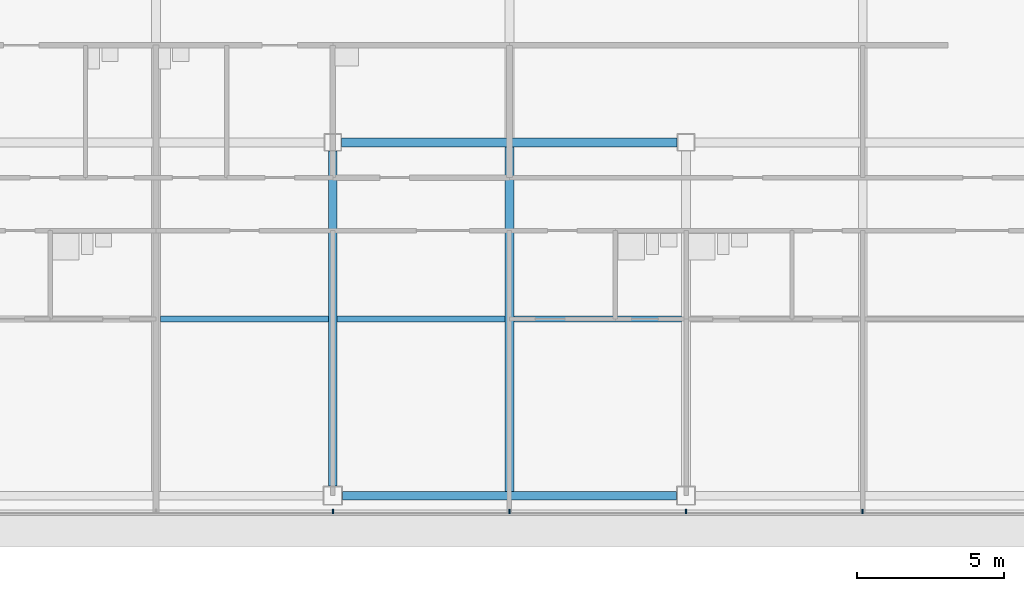
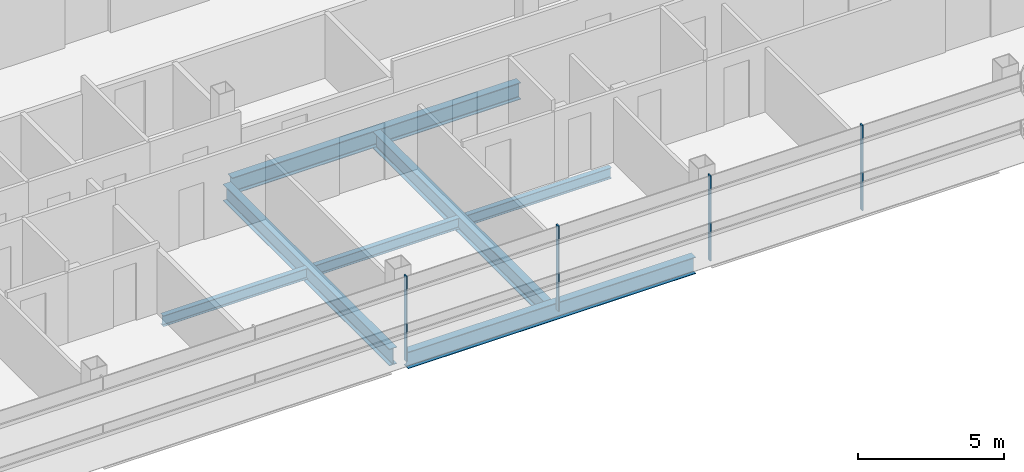
# One storey, part 8 of 27: 7 beams, 4 members, 1 element without a shape of its own.
"""IFC4 building model written with IfcOpenShell, lengths in metres."""

from ifc_helpers import new_model, si_unit, direction, frame, origin, origin_2d, place, context, subcontext, project, spatial, rectangle, i_section, extrude, material, material_profile, profile_set, type_object, element, aggregate, save


model = new_model("IFC4")

# Units and contexts
model_context = context("Model", 3, precision=1e-05, world=origin(), true_north=direction((0.0, 1.0)))
body_context = subcontext(model_context, "Body", "Model", "MODEL_VIEW")
ifc_project = project(units=[si_unit("LENGTHUNIT", "METRE"), si_unit("AREAUNIT", "SQUARE_METRE"), si_unit("VOLUMEUNIT", "CUBIC_METRE"), si_unit("PLANEANGLEUNIT", "RADIAN"), si_unit("MASSUNIT", "GRAM", prefix="KILO")], contexts=[model_context])

# Site, building, storey
site_placement = place(None, origin())
site = spatial("IfcSite", under=ifc_project, at=site_placement, CompositionType="ELEMENT")
building_placement = place(site_placement, origin())
building = spatial("IfcBuilding", under=site, at=building_placement, Name="Sorahane Residences", CompositionType="ELEMENT")
storey_placement = place(building_placement, frame((0.0, 0.0, 206.39990234375)))
storey = spatial("IfcBuildingStorey", under=building, at=storey_placement, Name="L48", CompositionType="ELEMENT", Elevation=206.39990234375)

# Curtain wall, members
ifc_material_1 = material(Name="Dark low-e glass and black anodised aluminium", Category="aluminium")
curtain_wall_type = type_object("IfcCurtainWallType", Name="Curtain wall CW-1 Typical unitised wall", PredefinedType="NOTDEFINED", material=ifc_material_1)
curtain_wall_placement = place(storey_placement, origin())
curtain_wall = element("IfcCurtainWall", 1, at=curtain_wall_placement, inside=storey, type_object=curtain_wall_type, Name="CW-1 curtain wall L48 S1", PredefinedType="NOTDEFINED")
ifc_material_2 = material(Name="Black anodised aluminium", Category="aluminium")
ifc_material_profile_1 = material_profile(ifc_material_2, rectangle(XDim=0.159912109375, YDim=0.050048828125, at=origin_2d()), Name="Curtain wall mullion CW-1 black anodised aluminium 50x160")
ifc_profile_set_1 = profile_set([ifc_material_profile_1], Name="Black anodised aluminium")
member_type = type_object("IfcMemberType", Name="Curtain wall mullion CW-1 black anodised aluminium 50x160", PredefinedType="MULLION", material=ifc_profile_set_1)
member_1_placement = place(storey_placement, frame((24.0, -0.5400390625, -0.179931640625), z_axis=(0.0, 0.0, 1.0), x_axis=(0.0, -1.0, 0.0)))
member_1 = element("IfcMember", 2, at=member_1_placement, type_object=member_type, Name="CW-1 mullion L48 S1.6", PredefinedType="MULLION", context=body_context, shape_type="SweptSolid", body=[
    extrude(rectangle(XDim=0.159912109375, YDim=0.050048828125, at=origin_2d()), origin(), (0.0, 0.0, 1.0), 3.56005859375),
])
member_2_placement = place(storey_placement, frame((30.0, -0.5400390625, -0.179931640625), z_axis=(0.0, 0.0, 1.0), x_axis=(0.0, -1.0, 0.0)))
member_2 = element("IfcMember", 3, at=member_2_placement, type_object=member_type, Name="CW-1 mullion L48 S1.7", PredefinedType="MULLION", context=body_context, shape_type="SweptSolid", body=[
    extrude(rectangle(XDim=0.159912109375, YDim=0.050048828125, at=origin_2d()), origin(), (0.0, 0.0, 1.0), 3.56005859375),
])
member_3_placement = place(storey_placement, frame((36.0, -0.5400390625, -0.179931640625), z_axis=(0.0, 0.0, 1.0), x_axis=(0.0, -1.0, 0.0)))
member_3 = element("IfcMember", 4, at=member_3_placement, type_object=member_type, Name="CW-1 mullion L48 S1.8", PredefinedType="MULLION", context=body_context, shape_type="SweptSolid", body=[
    extrude(rectangle(XDim=0.159912109375, YDim=0.050048828125, at=origin_2d()), origin(), (0.0, 0.0, 1.0), 3.56005859375),
])
member_4_placement = place(storey_placement, frame((42.0, -0.5400390625, -0.179931640625), z_axis=(0.0, 0.0, 1.0), x_axis=(0.0, -1.0, 0.0)))
member_4 = element("IfcMember", 5, at=member_4_placement, type_object=member_type, Name="CW-1 mullion L48 S1.9", PredefinedType="MULLION", context=body_context, shape_type="SweptSolid", body=[
    extrude(rectangle(XDim=0.159912109375, YDim=0.050048828125, at=origin_2d()), origin(), (0.0, 0.0, 1.0), 3.56005859375),
])
aggregate(curtain_wall, [member_1, member_2, member_3, member_4])

# Beams
ifc_material_3 = material(Name="Steel Q355B", Category="steel")
ifc_material_profile_2 = material_profile(ifc_material_3, i_section(OverallWidth=0.199951171875, OverallDepth=0.449951171875, WebThickness=0.009033203125, FlangeThickness=0.013916015625, FilletRadius=0.02001953125, at=origin_2d()), Name="HN 450x200x9x14")
ifc_profile_set_2 = profile_set([ifc_material_profile_2], Name="Steel Q355B")
beam_type_1 = type_object("IfcBeamType", Name="Steel floor beam HN 450x200x9x14 Q355B", PredefinedType="BEAM", material=ifc_profile_set_2)
for number, where, z_axis, x_axis, name in (
    (6, (18.14990234375, 6.0, -0.40478515625), (1.0, 0.0, 0.0), (0.0, 1.0, 0.0), "Beam L48 072"),
    (7, (24.14990234375, 6.0, -0.40478515625), (1.0, 0.0, 0.0), (0.0, 1.0, 0.0), "Beam L48 073"),
    (8, (30.14990234375, 6.0, -0.40478515625), (1.0, 0.0, 0.0), (0.0, 1.0, 0.0), "Beam L48 074"),
):
    element("IfcBeam", number, at=place(storey_placement, frame(where, z_axis=z_axis, x_axis=x_axis)), inside=storey, type_object=beam_type_1, Name=name, PredefinedType="BEAM", context=body_context, shape_type="SweptSolid", body=[
        extrude(i_section(OverallWidth=0.199951171875, OverallDepth=0.449951171875, WebThickness=0.009033203125, FlangeThickness=0.013916015625, FilletRadius=0.02001953125, at=origin_2d()), origin(), (0.0, 0.0, 1.0), 5.7001953125),
    ])
ifc_material_4 = material(Name="Steel Q355B", Category="steel")
ifc_material_profile_3 = material_profile(ifc_material_4, i_section(OverallWidth=0.300048828125, OverallDepth=0.699951171875, WebThickness=0.012939453125, FlangeThickness=0.02392578125, FilletRadius=0.028076171875, at=origin_2d()), Name="HN 700x300x13x24")
ifc_profile_set_3 = profile_set([ifc_material_profile_3], Name="Steel Q355B")
beam_type_2 = type_object("IfcBeamType", Name="Steel floor beam HN 700x300x13x24 Q355B", PredefinedType="BEAM", material=ifc_profile_set_3)
beam_1_placement = place(storey_placement, frame((24.324951171875, 0.0, -0.52978515625), z_axis=(1.0, 0.0, 0.0), x_axis=(0.0, 1.0, 0.0)))
element("IfcBeam", 9, at=beam_1_placement, inside=storey, type_object=beam_type_2, Name="Beam L48 003", PredefinedType="BEAM", context=body_context, shape_type="SweptSolid", body=[
    extrude(i_section(OverallWidth=0.300048828125, OverallDepth=0.699951171875, WebThickness=0.012939453125, FlangeThickness=0.02392578125, FilletRadius=0.028076171875, at=origin_2d()), origin(), (0.0, 0.0, 1.0), 11.35009765625),
])
beam_2_placement = place(storey_placement, frame((24.300048828125, 12.0, -0.52978515625), z_axis=(1.0, 0.0, 0.0), x_axis=(0.0, 1.0, 0.0)))
element("IfcBeam", 10, at=beam_2_placement, inside=storey, type_object=beam_type_2, Name="Beam L48 008", PredefinedType="BEAM", context=body_context, shape_type="SweptSolid", body=[
    extrude(i_section(OverallWidth=0.300048828125, OverallDepth=0.699951171875, WebThickness=0.012939453125, FlangeThickness=0.02392578125, FilletRadius=0.028076171875, at=origin_2d()), origin(), (0.0, 0.0, 1.0), 11.39990234375),
])
beam_3_placement = place(storey_placement, frame((24.0, 0.324951171875, -0.52978515625), z_axis=(0.0, 1.0, 0.0), x_axis=(-1.0, 0.0, 0.0)))
element("IfcBeam", 11, at=beam_3_placement, inside=storey, type_object=beam_type_2, Name="Beam L48 042", PredefinedType="BEAM", context=body_context, shape_type="SweptSolid", body=[
    extrude(i_section(OverallWidth=0.300048828125, OverallDepth=0.699951171875, WebThickness=0.012939453125, FlangeThickness=0.02392578125, FilletRadius=0.028076171875, at=origin_2d()), origin(), (0.0, 0.0, 1.0), 11.375),
])
beam_4_placement = place(storey_placement, frame((30.0, 0.14990234375, -0.52978515625), z_axis=(0.0, 1.0, 0.0), x_axis=(-1.0, 0.0, 0.0)))
element("IfcBeam", 12, at=beam_4_placement, inside=storey, type_object=beam_type_2, Name="Beam L48 044", PredefinedType="BEAM", context=body_context, shape_type="SweptSolid", body=[
    extrude(i_section(OverallWidth=0.300048828125, OverallDepth=0.699951171875, WebThickness=0.012939453125, FlangeThickness=0.02392578125, FilletRadius=0.028076171875, at=origin_2d()), origin(), (0.0, 0.0, 1.0), 11.7001953125),
])

save(model, "model.ifc")
